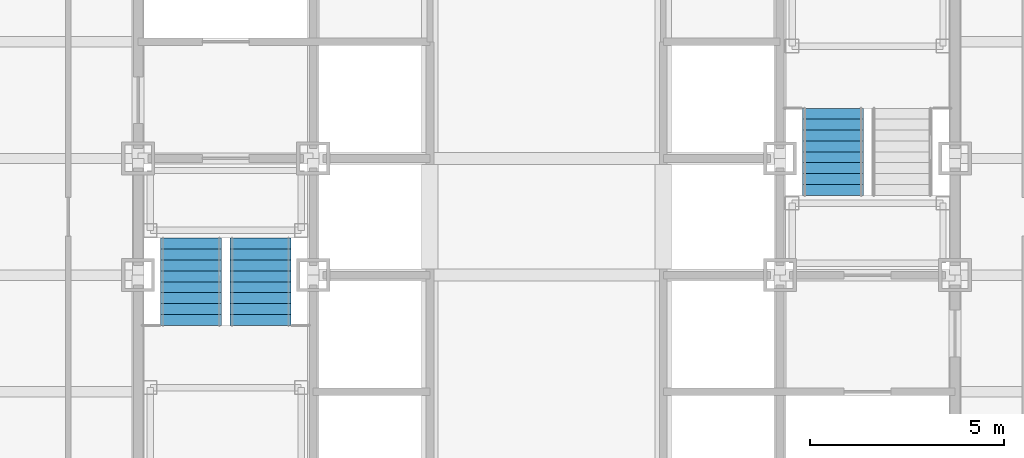
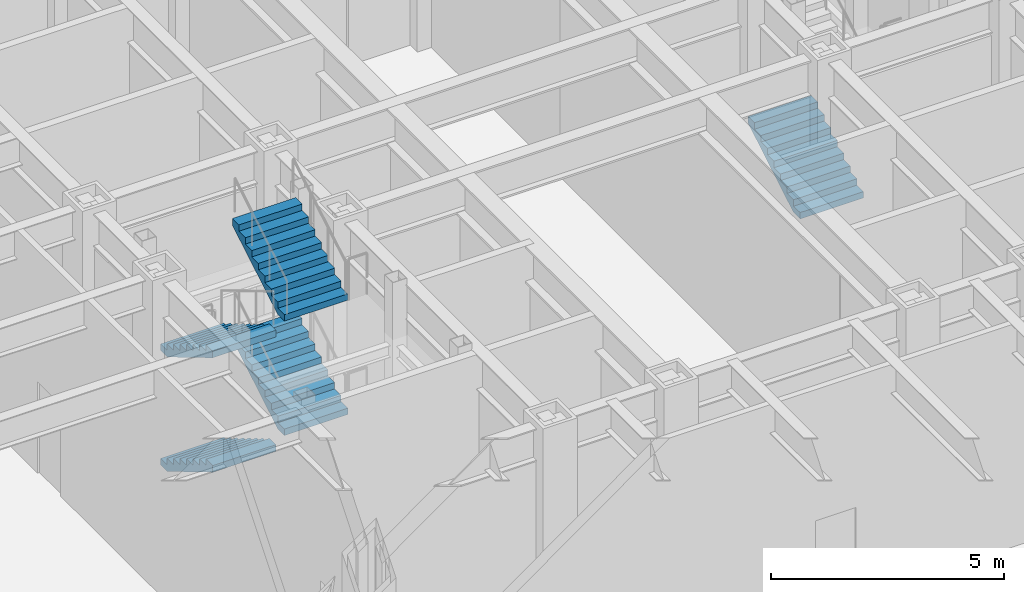
# One storey, part 21 of 31: 5 stair flights, 2 elements without a shape of their own.
"""IFC4 building model written with IfcOpenShell, lengths in metres."""

from ifc_helpers import new_model, si_unit, direction, frame, origin, place, context, subcontext, project, spatial, faceted_brep, material, type_object, element, aggregate, save


model = new_model("IFC4")

# Units and contexts
model_context = context("Model", 3, precision=1e-05, world=origin(), true_north=direction((0.0, 1.0)))
body_context = subcontext(model_context, "Body", "Model", "MODEL_VIEW")
ifc_project = project(units=[si_unit("LENGTHUNIT", "METRE"), si_unit("AREAUNIT", "SQUARE_METRE"), si_unit("VOLUMEUNIT", "CUBIC_METRE"), si_unit("PLANEANGLEUNIT", "RADIAN"), si_unit("MASSUNIT", "GRAM", prefix="KILO")], contexts=[model_context])

# Site, building, storey
site_placement = place(None, origin())
site = spatial("IfcSite", under=ifc_project, at=site_placement, CompositionType="ELEMENT")
building_placement = place(site_placement, origin())
building = spatial("IfcBuilding", under=site, at=building_placement, Name="Chuquiago Exchange Tower", CompositionType="ELEMENT")
storey_placement = place(building_placement, frame((0.0, 0.0, 96.300048828125)))
storey = spatial("IfcBuildingStorey", under=building, at=storey_placement, Name="L20", CompositionType="ELEMENT", Elevation=96.300048828125)

# Stair, stair flights
ifc_material_1 = material(Name="Concrete C30/37, precast", Category="concrete")
stair_type_1 = type_object("IfcStairType", Name="ST1 double half-turn stair 6000", PredefinedType="DOUBLE_RETURN_STAIR", material=ifc_material_1)
stair_1_placement = place(storey_placement, origin())
stair_1 = element("IfcStair", 1, at=stair_1_placement, inside=storey, type_object=stair_type_1, Name="Stair ST1 L20", PredefinedType="DOUBLE_RETURN_STAIR")
ifc_material_2 = material(Name="Concrete C30/37, precast", Category="concrete")
stair_flight_type = type_object("IfcStairFlightType", Name="ST-F flight 1570 for 6000 storey", PredefinedType="STRAIGHT", material=ifc_material_2)
stair_flight_1_placement = place(storey_placement, frame((13.360107421875, 21.949951171875, 0.0), z_axis=(0.0, 0.0, 1.0), x_axis=(0.0, -1.0, 0.0)))
stair_flight_1 = element("IfcStairFlight", 2, at=stair_flight_1_placement, type_object=stair_flight_type, Name="ST1 flight 1", NumberOfRisers=9, NumberOfTreads=8, PredefinedType="STRAIGHT", RiserHeight=0.166666667, TreadLength=0.28, context=body_context, shape_type="Brep", body=[
    faceted_brep([(0.0, 0.78515625, 0.0), (0.0, 0.78515625, 0.166748046875), (0.280029296875, 0.78515625, 0.166748046875), (0.280029296875, 0.78515625, 0.333251953125), (0.56005859375, 0.78515625, 0.333251953125), (0.56005859375, 0.78515625, 0.5), (0.840087890625, 0.78515625, 0.5), (0.840087890625, 0.78515625, 0.666748046875), (1.1201171875, 0.78515625, 0.666748046875), (1.1201171875, 0.78515625, 0.833251953125), (1.39990234375, 0.78515625, 0.833251953125), (1.39990234375, 0.78515625, 1.0), (1.679931640625, 0.78515625, 1.0), (1.679931640625, 0.78515625, 1.166748046875), (1.9599609375, 0.78515625, 1.166748046875), (1.9599609375, 0.78515625, 1.333251953125), (2.239990234375, 0.78515625, 1.333251953125), (2.239990234375, 0.78515625, 1.158935546875), (0.29296875, 0.78515625, 0.0), (0.29296875, -0.78515625, 0.0), (2.239990234375, -0.78515625, 1.158935546875), (2.239990234375, -0.78515625, 1.333251953125), (1.9599609375, -0.78515625, 1.333251953125), (1.9599609375, -0.78515625, 1.166748046875), (1.679931640625, -0.78515625, 1.166748046875), (1.679931640625, -0.78515625, 1.0), (1.39990234375, -0.78515625, 1.0), (1.39990234375, -0.78515625, 0.833251953125), (1.1201171875, -0.78515625, 0.833251953125), (1.1201171875, -0.78515625, 0.666748046875), (0.840087890625, -0.78515625, 0.666748046875), (0.840087890625, -0.78515625, 0.5), (0.56005859375, -0.78515625, 0.5), (0.56005859375, -0.78515625, 0.333251953125), (0.280029296875, -0.78515625, 0.333251953125), (0.280029296875, -0.78515625, 0.166748046875), (0.0, -0.78515625, 0.166748046875), (0.0, -0.78515625, 0.0), (0.0, 0.392578125, 0.0), (0.0, 0.392578125, 0.166748046875), (0.0, 0.0, 0.0), (0.0, 0.0, 0.166748046875), (0.0, -0.392578125, 0.0), (0.0, -0.392578125, 0.166748046875), (0.280029296875, 0.392578125, 0.166748046875), (0.280029296875, 0.0, 0.166748046875), (0.280029296875, -0.392578125, 0.166748046875), (0.280029296875, 0.392578125, 0.333251953125), (0.280029296875, 0.0, 0.333251953125), (0.280029296875, -0.392578125, 0.333251953125), (0.56005859375, 0.392578125, 0.333251953125), (0.56005859375, 0.0, 0.333251953125), (0.56005859375, -0.392578125, 0.333251953125), (0.56005859375, 0.392578125, 0.5), (0.56005859375, 0.0, 0.5), (0.56005859375, -0.392578125, 0.5), (0.840087890625, 0.392578125, 0.5), (0.840087890625, 0.0, 0.5), (0.840087890625, -0.392578125, 0.5), (0.840087890625, 0.392578125, 0.666748046875), (0.840087890625, 0.0, 0.666748046875), (0.840087890625, -0.392578125, 0.666748046875), (1.1201171875, 0.392578125, 0.666748046875), (1.1201171875, 0.0, 0.666748046875), (1.1201171875, -0.392578125, 0.666748046875), (1.1201171875, 0.392578125, 0.833251953125), (1.1201171875, 0.0, 0.833251953125), (1.1201171875, -0.392578125, 0.833251953125), (1.39990234375, 0.392578125, 0.833251953125), (1.39990234375, 0.0, 0.833251953125), (1.39990234375, -0.392578125, 0.833251953125), (1.39990234375, 0.392578125, 1.0), (1.39990234375, 0.0, 1.0), (1.39990234375, -0.392578125, 1.0), (1.679931640625, 0.392578125, 1.0), (1.679931640625, 0.0, 1.0), (1.679931640625, -0.392578125, 1.0), (1.679931640625, 0.392578125, 1.166748046875), (1.679931640625, 0.0, 1.166748046875), (1.679931640625, -0.392578125, 1.166748046875), (1.9599609375, 0.392578125, 1.166748046875), (1.9599609375, 0.0, 1.166748046875), (1.9599609375, -0.392578125, 1.166748046875), (1.9599609375, 0.392578125, 1.333251953125), (1.9599609375, 0.0, 1.333251953125), (1.9599609375, -0.392578125, 1.333251953125), (2.239990234375, 0.392578125, 1.333251953125), (2.239990234375, 0.0, 1.333251953125), (2.239990234375, -0.392578125, 1.333251953125), (2.239990234375, 0.392578125, 1.158935546875), (2.239990234375, 0.0, 1.158935546875), (2.239990234375, -0.392578125, 1.158935546875), (0.29296875, 0.392578125, 0.0), (0.29296875, 0.0, 0.0), (0.29296875, -0.392578125, 0.0)], [[[0, 1, 2, 3, 4, 5, 6, 7, 8, 9, 10, 11, 12, 13, 14, 15, 16, 17, 18]], [[19, 20, 21, 22, 23, 24, 25, 26, 27, 28, 29, 30, 31, 32, 33, 34, 35, 36, 37]], [[1, 0, 38, 39]], [[39, 38, 40, 41]], [[41, 40, 42, 43]], [[43, 42, 37, 36]], [[2, 1, 39, 44]], [[44, 39, 41, 45]], [[45, 41, 43, 46]], [[46, 43, 36, 35]], [[3, 2, 44, 47]], [[47, 44, 45, 48]], [[48, 45, 46, 49]], [[49, 46, 35, 34]], [[4, 3, 47, 50]], [[50, 47, 48, 51]], [[51, 48, 49, 52]], [[52, 49, 34, 33]], [[5, 4, 50, 53]], [[53, 50, 51, 54]], [[54, 51, 52, 55]], [[55, 52, 33, 32]], [[6, 5, 53, 56]], [[56, 53, 54, 57]], [[57, 54, 55, 58]], [[58, 55, 32, 31]], [[7, 6, 56, 59]], [[59, 56, 57, 60]], [[60, 57, 58, 61]], [[61, 58, 31, 30]], [[8, 7, 59, 62]], [[62, 59, 60, 63]], [[63, 60, 61, 64]], [[64, 61, 30, 29]], [[9, 8, 62, 65]], [[65, 62, 63, 66]], [[66, 63, 64, 67]], [[67, 64, 29, 28]], [[10, 9, 65, 68]], [[68, 65, 66, 69]], [[69, 66, 67, 70]], [[70, 67, 28, 27]], [[11, 10, 68, 71]], [[71, 68, 69, 72]], [[72, 69, 70, 73]], [[73, 70, 27, 26]], [[12, 11, 71, 74]], [[74, 71, 72, 75]], [[75, 72, 73, 76]], [[76, 73, 26, 25]], [[13, 12, 74, 77]], [[77, 74, 75, 78]], [[78, 75, 76, 79]], [[79, 76, 25, 24]], [[14, 13, 77, 80]], [[80, 77, 78, 81]], [[81, 78, 79, 82]], [[82, 79, 24, 23]], [[15, 14, 80, 83]], [[83, 80, 81, 84]], [[84, 81, 82, 85]], [[85, 82, 23, 22]], [[16, 15, 83, 86]], [[86, 83, 84, 87]], [[87, 84, 85, 88]], [[88, 85, 22, 21]], [[17, 16, 86, 89]], [[89, 86, 87, 90]], [[90, 87, 88, 91]], [[91, 88, 21, 20]], [[18, 17, 89, 92]], [[92, 89, 90, 93]], [[93, 90, 91, 94]], [[94, 91, 20, 19]], [[0, 18, 92, 38]], [[38, 92, 93, 40]], [[40, 93, 94, 42]], [[42, 94, 19, 37]]]),
])
stair_flight_2_placement = place(storey_placement, frame((15.139892578125, 19.7099609375, 1.5), z_axis=(0.0, 0.0, 1.0), x_axis=(0.0, 1.0, 0.0)))
stair_flight_2 = element("IfcStairFlight", 3, at=stair_flight_2_placement, type_object=stair_flight_type, Name="ST1 flight 2", NumberOfRisers=9, NumberOfTreads=8, PredefinedType="STRAIGHT", RiserHeight=0.166666667, TreadLength=0.28, context=body_context, shape_type="Brep", body=[
    faceted_brep([(0.0, 0.78515625, 0.0), (0.0, 0.78515625, 0.166748046875), (0.280029296875, 0.78515625, 0.166748046875), (0.280029296875, 0.78515625, 0.333251953125), (0.56005859375, 0.78515625, 0.333251953125), (0.56005859375, 0.78515625, 0.5), (0.840087890625, 0.78515625, 0.5), (0.840087890625, 0.78515625, 0.666748046875), (1.1201171875, 0.78515625, 0.666748046875), (1.1201171875, 0.78515625, 0.833251953125), (1.39990234375, 0.78515625, 0.833251953125), (1.39990234375, 0.78515625, 1.0), (1.679931640625, 0.78515625, 1.0), (1.679931640625, 0.78515625, 1.166748046875), (1.9599609375, 0.78515625, 1.166748046875), (1.9599609375, 0.78515625, 1.333251953125), (2.239990234375, 0.78515625, 1.333251953125), (2.239990234375, 0.78515625, 1.158935546875), (0.29296875, 0.78515625, 0.0), (0.29296875, -0.78515625, 0.0), (2.239990234375, -0.78515625, 1.158935546875), (2.239990234375, -0.78515625, 1.333251953125), (1.9599609375, -0.78515625, 1.333251953125), (1.9599609375, -0.78515625, 1.166748046875), (1.679931640625, -0.78515625, 1.166748046875), (1.679931640625, -0.78515625, 1.0), (1.39990234375, -0.78515625, 1.0), (1.39990234375, -0.78515625, 0.833251953125), (1.1201171875, -0.78515625, 0.833251953125), (1.1201171875, -0.78515625, 0.666748046875), (0.840087890625, -0.78515625, 0.666748046875), (0.840087890625, -0.78515625, 0.5), (0.56005859375, -0.78515625, 0.5), (0.56005859375, -0.78515625, 0.333251953125), (0.280029296875, -0.78515625, 0.333251953125), (0.280029296875, -0.78515625, 0.166748046875), (0.0, -0.78515625, 0.166748046875), (0.0, -0.78515625, 0.0), (0.0, 0.392578125, 0.0), (0.0, 0.392578125, 0.166748046875), (0.0, 0.0, 0.0), (0.0, 0.0, 0.166748046875), (0.0, -0.392578125, 0.0), (0.0, -0.392578125, 0.166748046875), (0.280029296875, 0.392578125, 0.166748046875), (0.280029296875, 0.0, 0.166748046875), (0.280029296875, -0.392578125, 0.166748046875), (0.280029296875, 0.392578125, 0.333251953125), (0.280029296875, 0.0, 0.333251953125), (0.280029296875, -0.392578125, 0.333251953125), (0.56005859375, 0.392578125, 0.333251953125), (0.56005859375, 0.0, 0.333251953125), (0.56005859375, -0.392578125, 0.333251953125), (0.56005859375, 0.392578125, 0.5), (0.56005859375, 0.0, 0.5), (0.56005859375, -0.392578125, 0.5), (0.840087890625, 0.392578125, 0.5), (0.840087890625, 0.0, 0.5), (0.840087890625, -0.392578125, 0.5), (0.840087890625, 0.392578125, 0.666748046875), (0.840087890625, 0.0, 0.666748046875), (0.840087890625, -0.392578125, 0.666748046875), (1.1201171875, 0.392578125, 0.666748046875), (1.1201171875, 0.0, 0.666748046875), (1.1201171875, -0.392578125, 0.666748046875), (1.1201171875, 0.392578125, 0.833251953125), (1.1201171875, 0.0, 0.833251953125), (1.1201171875, -0.392578125, 0.833251953125), (1.39990234375, 0.392578125, 0.833251953125), (1.39990234375, 0.0, 0.833251953125), (1.39990234375, -0.392578125, 0.833251953125), (1.39990234375, 0.392578125, 1.0), (1.39990234375, 0.0, 1.0), (1.39990234375, -0.392578125, 1.0), (1.679931640625, 0.392578125, 1.0), (1.679931640625, 0.0, 1.0), (1.679931640625, -0.392578125, 1.0), (1.679931640625, 0.392578125, 1.166748046875), (1.679931640625, 0.0, 1.166748046875), (1.679931640625, -0.392578125, 1.166748046875), (1.9599609375, 0.392578125, 1.166748046875), (1.9599609375, 0.0, 1.166748046875), (1.9599609375, -0.392578125, 1.166748046875), (1.9599609375, 0.392578125, 1.333251953125), (1.9599609375, 0.0, 1.333251953125), (1.9599609375, -0.392578125, 1.333251953125), (2.239990234375, 0.392578125, 1.333251953125), (2.239990234375, 0.0, 1.333251953125), (2.239990234375, -0.392578125, 1.333251953125), (2.239990234375, 0.392578125, 1.158935546875), (2.239990234375, 0.0, 1.158935546875), (2.239990234375, -0.392578125, 1.158935546875), (0.29296875, 0.392578125, 0.0), (0.29296875, 0.0, 0.0), (0.29296875, -0.392578125, 0.0)], [[[0, 1, 2, 3, 4, 5, 6, 7, 8, 9, 10, 11, 12, 13, 14, 15, 16, 17, 18]], [[19, 20, 21, 22, 23, 24, 25, 26, 27, 28, 29, 30, 31, 32, 33, 34, 35, 36, 37]], [[1, 0, 38, 39]], [[39, 38, 40, 41]], [[41, 40, 42, 43]], [[43, 42, 37, 36]], [[2, 1, 39, 44]], [[44, 39, 41, 45]], [[45, 41, 43, 46]], [[46, 43, 36, 35]], [[3, 2, 44, 47]], [[47, 44, 45, 48]], [[48, 45, 46, 49]], [[49, 46, 35, 34]], [[4, 3, 47, 50]], [[50, 47, 48, 51]], [[51, 48, 49, 52]], [[52, 49, 34, 33]], [[5, 4, 50, 53]], [[53, 50, 51, 54]], [[54, 51, 52, 55]], [[55, 52, 33, 32]], [[6, 5, 53, 56]], [[56, 53, 54, 57]], [[57, 54, 55, 58]], [[58, 55, 32, 31]], [[7, 6, 56, 59]], [[59, 56, 57, 60]], [[60, 57, 58, 61]], [[61, 58, 31, 30]], [[8, 7, 59, 62]], [[62, 59, 60, 63]], [[63, 60, 61, 64]], [[64, 61, 30, 29]], [[9, 8, 62, 65]], [[65, 62, 63, 66]], [[66, 63, 64, 67]], [[67, 64, 29, 28]], [[10, 9, 65, 68]], [[68, 65, 66, 69]], [[69, 66, 67, 70]], [[70, 67, 28, 27]], [[11, 10, 68, 71]], [[71, 68, 69, 72]], [[72, 69, 70, 73]], [[73, 70, 27, 26]], [[12, 11, 71, 74]], [[74, 71, 72, 75]], [[75, 72, 73, 76]], [[76, 73, 26, 25]], [[13, 12, 74, 77]], [[77, 74, 75, 78]], [[78, 75, 76, 79]], [[79, 76, 25, 24]], [[14, 13, 77, 80]], [[80, 77, 78, 81]], [[81, 78, 79, 82]], [[82, 79, 24, 23]], [[15, 14, 80, 83]], [[83, 80, 81, 84]], [[84, 81, 82, 85]], [[85, 82, 23, 22]], [[16, 15, 83, 86]], [[86, 83, 84, 87]], [[87, 84, 85, 88]], [[88, 85, 22, 21]], [[17, 16, 86, 89]], [[89, 86, 87, 90]], [[90, 87, 88, 91]], [[91, 88, 21, 20]], [[18, 17, 89, 92]], [[92, 89, 90, 93]], [[93, 90, 91, 94]], [[94, 91, 20, 19]], [[0, 18, 92, 38]], [[38, 92, 93, 40]], [[40, 93, 94, 42]], [[42, 94, 19, 37]]]),
])
stair_flight_3_placement = place(storey_placement, frame((13.360107421875, 21.949951171875, 3.0), z_axis=(0.0, 0.0, 1.0), x_axis=(0.0, -1.0, 0.0)))
stair_flight_3 = element("IfcStairFlight", 4, at=stair_flight_3_placement, type_object=stair_flight_type, Name="ST1 flight 3", NumberOfRisers=9, NumberOfTreads=8, PredefinedType="STRAIGHT", RiserHeight=0.166666667, TreadLength=0.28, context=body_context, shape_type="Brep", body=[
    faceted_brep([(0.0, 0.78515625, 0.0), (0.0, 0.78515625, 0.166748046875), (0.280029296875, 0.78515625, 0.166748046875), (0.280029296875, 0.78515625, 0.333251953125), (0.56005859375, 0.78515625, 0.333251953125), (0.56005859375, 0.78515625, 0.5), (0.840087890625, 0.78515625, 0.5), (0.840087890625, 0.78515625, 0.666748046875), (1.1201171875, 0.78515625, 0.666748046875), (1.1201171875, 0.78515625, 0.833251953125), (1.39990234375, 0.78515625, 0.833251953125), (1.39990234375, 0.78515625, 1.0), (1.679931640625, 0.78515625, 1.0), (1.679931640625, 0.78515625, 1.166748046875), (1.9599609375, 0.78515625, 1.166748046875), (1.9599609375, 0.78515625, 1.333251953125), (2.239990234375, 0.78515625, 1.333251953125), (2.239990234375, 0.78515625, 1.158935546875), (0.29296875, 0.78515625, 0.0), (0.29296875, -0.78515625, 0.0), (2.239990234375, -0.78515625, 1.158935546875), (2.239990234375, -0.78515625, 1.333251953125), (1.9599609375, -0.78515625, 1.333251953125), (1.9599609375, -0.78515625, 1.166748046875), (1.679931640625, -0.78515625, 1.166748046875), (1.679931640625, -0.78515625, 1.0), (1.39990234375, -0.78515625, 1.0), (1.39990234375, -0.78515625, 0.833251953125), (1.1201171875, -0.78515625, 0.833251953125), (1.1201171875, -0.78515625, 0.666748046875), (0.840087890625, -0.78515625, 0.666748046875), (0.840087890625, -0.78515625, 0.5), (0.56005859375, -0.78515625, 0.5), (0.56005859375, -0.78515625, 0.333251953125), (0.280029296875, -0.78515625, 0.333251953125), (0.280029296875, -0.78515625, 0.166748046875), (0.0, -0.78515625, 0.166748046875), (0.0, -0.78515625, 0.0), (0.0, 0.392578125, 0.0), (0.0, 0.392578125, 0.166748046875), (0.0, 0.0, 0.0), (0.0, 0.0, 0.166748046875), (0.0, -0.392578125, 0.0), (0.0, -0.392578125, 0.166748046875), (0.280029296875, 0.392578125, 0.166748046875), (0.280029296875, 0.0, 0.166748046875), (0.280029296875, -0.392578125, 0.166748046875), (0.280029296875, 0.392578125, 0.333251953125), (0.280029296875, 0.0, 0.333251953125), (0.280029296875, -0.392578125, 0.333251953125), (0.56005859375, 0.392578125, 0.333251953125), (0.56005859375, 0.0, 0.333251953125), (0.56005859375, -0.392578125, 0.333251953125), (0.56005859375, 0.392578125, 0.5), (0.56005859375, 0.0, 0.5), (0.56005859375, -0.392578125, 0.5), (0.840087890625, 0.392578125, 0.5), (0.840087890625, 0.0, 0.5), (0.840087890625, -0.392578125, 0.5), (0.840087890625, 0.392578125, 0.666748046875), (0.840087890625, 0.0, 0.666748046875), (0.840087890625, -0.392578125, 0.666748046875), (1.1201171875, 0.392578125, 0.666748046875), (1.1201171875, 0.0, 0.666748046875), (1.1201171875, -0.392578125, 0.666748046875), (1.1201171875, 0.392578125, 0.833251953125), (1.1201171875, 0.0, 0.833251953125), (1.1201171875, -0.392578125, 0.833251953125), (1.39990234375, 0.392578125, 0.833251953125), (1.39990234375, 0.0, 0.833251953125), (1.39990234375, -0.392578125, 0.833251953125), (1.39990234375, 0.392578125, 1.0), (1.39990234375, 0.0, 1.0), (1.39990234375, -0.392578125, 1.0), (1.679931640625, 0.392578125, 1.0), (1.679931640625, 0.0, 1.0), (1.679931640625, -0.392578125, 1.0), (1.679931640625, 0.392578125, 1.166748046875), (1.679931640625, 0.0, 1.166748046875), (1.679931640625, -0.392578125, 1.166748046875), (1.9599609375, 0.392578125, 1.166748046875), (1.9599609375, 0.0, 1.166748046875), (1.9599609375, -0.392578125, 1.166748046875), (1.9599609375, 0.392578125, 1.333251953125), (1.9599609375, 0.0, 1.333251953125), (1.9599609375, -0.392578125, 1.333251953125), (2.239990234375, 0.392578125, 1.333251953125), (2.239990234375, 0.0, 1.333251953125), (2.239990234375, -0.392578125, 1.333251953125), (2.239990234375, 0.392578125, 1.158935546875), (2.239990234375, 0.0, 1.158935546875), (2.239990234375, -0.392578125, 1.158935546875), (0.29296875, 0.392578125, 0.0), (0.29296875, 0.0, 0.0), (0.29296875, -0.392578125, 0.0)], [[[0, 1, 2, 3, 4, 5, 6, 7, 8, 9, 10, 11, 12, 13, 14, 15, 16, 17, 18]], [[19, 20, 21, 22, 23, 24, 25, 26, 27, 28, 29, 30, 31, 32, 33, 34, 35, 36, 37]], [[1, 0, 38, 39]], [[39, 38, 40, 41]], [[41, 40, 42, 43]], [[43, 42, 37, 36]], [[2, 1, 39, 44]], [[44, 39, 41, 45]], [[45, 41, 43, 46]], [[46, 43, 36, 35]], [[3, 2, 44, 47]], [[47, 44, 45, 48]], [[48, 45, 46, 49]], [[49, 46, 35, 34]], [[4, 3, 47, 50]], [[50, 47, 48, 51]], [[51, 48, 49, 52]], [[52, 49, 34, 33]], [[5, 4, 50, 53]], [[53, 50, 51, 54]], [[54, 51, 52, 55]], [[55, 52, 33, 32]], [[6, 5, 53, 56]], [[56, 53, 54, 57]], [[57, 54, 55, 58]], [[58, 55, 32, 31]], [[7, 6, 56, 59]], [[59, 56, 57, 60]], [[60, 57, 58, 61]], [[61, 58, 31, 30]], [[8, 7, 59, 62]], [[62, 59, 60, 63]], [[63, 60, 61, 64]], [[64, 61, 30, 29]], [[9, 8, 62, 65]], [[65, 62, 63, 66]], [[66, 63, 64, 67]], [[67, 64, 29, 28]], [[10, 9, 65, 68]], [[68, 65, 66, 69]], [[69, 66, 67, 70]], [[70, 67, 28, 27]], [[11, 10, 68, 71]], [[71, 68, 69, 72]], [[72, 69, 70, 73]], [[73, 70, 27, 26]], [[12, 11, 71, 74]], [[74, 71, 72, 75]], [[75, 72, 73, 76]], [[76, 73, 26, 25]], [[13, 12, 74, 77]], [[77, 74, 75, 78]], [[78, 75, 76, 79]], [[79, 76, 25, 24]], [[14, 13, 77, 80]], [[80, 77, 78, 81]], [[81, 78, 79, 82]], [[82, 79, 24, 23]], [[15, 14, 80, 83]], [[83, 80, 81, 84]], [[84, 81, 82, 85]], [[85, 82, 23, 22]], [[16, 15, 83, 86]], [[86, 83, 84, 87]], [[87, 84, 85, 88]], [[88, 85, 22, 21]], [[17, 16, 86, 89]], [[89, 86, 87, 90]], [[90, 87, 88, 91]], [[91, 88, 21, 20]], [[18, 17, 89, 92]], [[92, 89, 90, 93]], [[93, 90, 91, 94]], [[94, 91, 20, 19]], [[0, 18, 92, 38]], [[38, 92, 93, 40]], [[40, 93, 94, 42]], [[42, 94, 19, 37]]]),
])
stair_flight_4_placement = place(storey_placement, frame((15.139892578125, 19.7099609375, 4.5), z_axis=(0.0, 0.0, 1.0), x_axis=(0.0, 1.0, 0.0)))
stair_flight_4 = element("IfcStairFlight", 5, at=stair_flight_4_placement, type_object=stair_flight_type, Name="ST1 flight 4", NumberOfRisers=9, NumberOfTreads=8, PredefinedType="STRAIGHT", RiserHeight=0.166666667, TreadLength=0.28, context=body_context, shape_type="Brep", body=[
    faceted_brep([(0.0, 0.78515625, 0.0), (0.0, 0.78515625, 0.166748046875), (0.280029296875, 0.78515625, 0.166748046875), (0.280029296875, 0.78515625, 0.333251953125), (0.56005859375, 0.78515625, 0.333251953125), (0.56005859375, 0.78515625, 0.5), (0.840087890625, 0.78515625, 0.5), (0.840087890625, 0.78515625, 0.666748046875), (1.1201171875, 0.78515625, 0.666748046875), (1.1201171875, 0.78515625, 0.833251953125), (1.39990234375, 0.78515625, 0.833251953125), (1.39990234375, 0.78515625, 1.0), (1.679931640625, 0.78515625, 1.0), (1.679931640625, 0.78515625, 1.166748046875), (1.9599609375, 0.78515625, 1.166748046875), (1.9599609375, 0.78515625, 1.333251953125), (2.239990234375, 0.78515625, 1.333251953125), (2.239990234375, 0.78515625, 1.158935546875), (0.29296875, 0.78515625, 0.0), (0.29296875, -0.78515625, 0.0), (2.239990234375, -0.78515625, 1.158935546875), (2.239990234375, -0.78515625, 1.333251953125), (1.9599609375, -0.78515625, 1.333251953125), (1.9599609375, -0.78515625, 1.166748046875), (1.679931640625, -0.78515625, 1.166748046875), (1.679931640625, -0.78515625, 1.0), (1.39990234375, -0.78515625, 1.0), (1.39990234375, -0.78515625, 0.833251953125), (1.1201171875, -0.78515625, 0.833251953125), (1.1201171875, -0.78515625, 0.666748046875), (0.840087890625, -0.78515625, 0.666748046875), (0.840087890625, -0.78515625, 0.5), (0.56005859375, -0.78515625, 0.5), (0.56005859375, -0.78515625, 0.333251953125), (0.280029296875, -0.78515625, 0.333251953125), (0.280029296875, -0.78515625, 0.166748046875), (0.0, -0.78515625, 0.166748046875), (0.0, -0.78515625, 0.0), (0.0, 0.392578125, 0.0), (0.0, 0.392578125, 0.166748046875), (0.0, 0.0, 0.0), (0.0, 0.0, 0.166748046875), (0.0, -0.392578125, 0.0), (0.0, -0.392578125, 0.166748046875), (0.280029296875, 0.392578125, 0.166748046875), (0.280029296875, 0.0, 0.166748046875), (0.280029296875, -0.392578125, 0.166748046875), (0.280029296875, 0.392578125, 0.333251953125), (0.280029296875, 0.0, 0.333251953125), (0.280029296875, -0.392578125, 0.333251953125), (0.56005859375, 0.392578125, 0.333251953125), (0.56005859375, 0.0, 0.333251953125), (0.56005859375, -0.392578125, 0.333251953125), (0.56005859375, 0.392578125, 0.5), (0.56005859375, 0.0, 0.5), (0.56005859375, -0.392578125, 0.5), (0.840087890625, 0.392578125, 0.5), (0.840087890625, 0.0, 0.5), (0.840087890625, -0.392578125, 0.5), (0.840087890625, 0.392578125, 0.666748046875), (0.840087890625, 0.0, 0.666748046875), (0.840087890625, -0.392578125, 0.666748046875), (1.1201171875, 0.392578125, 0.666748046875), (1.1201171875, 0.0, 0.666748046875), (1.1201171875, -0.392578125, 0.666748046875), (1.1201171875, 0.392578125, 0.833251953125), (1.1201171875, 0.0, 0.833251953125), (1.1201171875, -0.392578125, 0.833251953125), (1.39990234375, 0.392578125, 0.833251953125), (1.39990234375, 0.0, 0.833251953125), (1.39990234375, -0.392578125, 0.833251953125), (1.39990234375, 0.392578125, 1.0), (1.39990234375, 0.0, 1.0), (1.39990234375, -0.392578125, 1.0), (1.679931640625, 0.392578125, 1.0), (1.679931640625, 0.0, 1.0), (1.679931640625, -0.392578125, 1.0), (1.679931640625, 0.392578125, 1.166748046875), (1.679931640625, 0.0, 1.166748046875), (1.679931640625, -0.392578125, 1.166748046875), (1.9599609375, 0.392578125, 1.166748046875), (1.9599609375, 0.0, 1.166748046875), (1.9599609375, -0.392578125, 1.166748046875), (1.9599609375, 0.392578125, 1.333251953125), (1.9599609375, 0.0, 1.333251953125), (1.9599609375, -0.392578125, 1.333251953125), (2.239990234375, 0.392578125, 1.333251953125), (2.239990234375, 0.0, 1.333251953125), (2.239990234375, -0.392578125, 1.333251953125), (2.239990234375, 0.392578125, 1.158935546875), (2.239990234375, 0.0, 1.158935546875), (2.239990234375, -0.392578125, 1.158935546875), (0.29296875, 0.392578125, 0.0), (0.29296875, 0.0, 0.0), (0.29296875, -0.392578125, 0.0)], [[[0, 1, 2, 3, 4, 5, 6, 7, 8, 9, 10, 11, 12, 13, 14, 15, 16, 17, 18]], [[19, 20, 21, 22, 23, 24, 25, 26, 27, 28, 29, 30, 31, 32, 33, 34, 35, 36, 37]], [[1, 0, 38, 39]], [[39, 38, 40, 41]], [[41, 40, 42, 43]], [[43, 42, 37, 36]], [[2, 1, 39, 44]], [[44, 39, 41, 45]], [[45, 41, 43, 46]], [[46, 43, 36, 35]], [[3, 2, 44, 47]], [[47, 44, 45, 48]], [[48, 45, 46, 49]], [[49, 46, 35, 34]], [[4, 3, 47, 50]], [[50, 47, 48, 51]], [[51, 48, 49, 52]], [[52, 49, 34, 33]], [[5, 4, 50, 53]], [[53, 50, 51, 54]], [[54, 51, 52, 55]], [[55, 52, 33, 32]], [[6, 5, 53, 56]], [[56, 53, 54, 57]], [[57, 54, 55, 58]], [[58, 55, 32, 31]], [[7, 6, 56, 59]], [[59, 56, 57, 60]], [[60, 57, 58, 61]], [[61, 58, 31, 30]], [[8, 7, 59, 62]], [[62, 59, 60, 63]], [[63, 60, 61, 64]], [[64, 61, 30, 29]], [[9, 8, 62, 65]], [[65, 62, 63, 66]], [[66, 63, 64, 67]], [[67, 64, 29, 28]], [[10, 9, 65, 68]], [[68, 65, 66, 69]], [[69, 66, 67, 70]], [[70, 67, 28, 27]], [[11, 10, 68, 71]], [[71, 68, 69, 72]], [[72, 69, 70, 73]], [[73, 70, 27, 26]], [[12, 11, 71, 74]], [[74, 71, 72, 75]], [[75, 72, 73, 76]], [[76, 73, 26, 25]], [[13, 12, 74, 77]], [[77, 74, 75, 78]], [[78, 75, 76, 79]], [[79, 76, 25, 24]], [[14, 13, 77, 80]], [[80, 77, 78, 81]], [[81, 78, 79, 82]], [[82, 79, 24, 23]], [[15, 14, 80, 83]], [[83, 80, 81, 84]], [[84, 81, 82, 85]], [[85, 82, 23, 22]], [[16, 15, 83, 86]], [[86, 83, 84, 87]], [[87, 84, 85, 88]], [[88, 85, 22, 21]], [[17, 16, 86, 89]], [[89, 86, 87, 90]], [[90, 87, 88, 91]], [[91, 88, 21, 20]], [[18, 17, 89, 92]], [[92, 89, 90, 93]], [[93, 90, 91, 94]], [[94, 91, 20, 19]], [[0, 18, 92, 38]], [[38, 92, 93, 40]], [[40, 93, 94, 42]], [[42, 94, 19, 37]]]),
])
aggregate(stair_1, [stair_flight_1, stair_flight_2, stair_flight_3, stair_flight_4])

# Stair, stair flight
ifc_material_3 = material(Name="Concrete C30/37, precast", Category="concrete")
stair_type_2 = type_object("IfcStairType", Name="ST2 double half-turn stair 6000", PredefinedType="DOUBLE_RETURN_STAIR", material=ifc_material_3)
stair_2_placement = place(storey_placement, origin())
stair_2 = element("IfcStair", 6, at=stair_2_placement, inside=storey, type_object=stair_type_2, Name="Stair ST2 L20", PredefinedType="DOUBLE_RETURN_STAIR")
stair_flight_5_placement = place(storey_placement, frame((29.860107421875, 23.050048828125, 0.0), z_axis=(0.0, 0.0, 1.0), x_axis=(0.0, 1.0, 0.0)))
stair_flight_5 = element("IfcStairFlight", 7, at=stair_flight_5_placement, type_object=stair_flight_type, Name="ST2 flight 1", NumberOfRisers=9, NumberOfTreads=8, PredefinedType="STRAIGHT", RiserHeight=0.166666667, TreadLength=0.28, context=body_context, shape_type="Brep", body=[
    faceted_brep([(0.0, 0.78515625, 0.0), (0.0, 0.78515625, 0.166748046875), (0.280029296875, 0.78515625, 0.166748046875), (0.280029296875, 0.78515625, 0.333251953125), (0.56005859375, 0.78515625, 0.333251953125), (0.56005859375, 0.78515625, 0.5), (0.840087890625, 0.78515625, 0.5), (0.840087890625, 0.78515625, 0.666748046875), (1.1201171875, 0.78515625, 0.666748046875), (1.1201171875, 0.78515625, 0.833251953125), (1.39990234375, 0.78515625, 0.833251953125), (1.39990234375, 0.78515625, 1.0), (1.679931640625, 0.78515625, 1.0), (1.679931640625, 0.78515625, 1.166748046875), (1.9599609375, 0.78515625, 1.166748046875), (1.9599609375, 0.78515625, 1.333251953125), (2.239990234375, 0.78515625, 1.333251953125), (2.239990234375, 0.78515625, 1.158935546875), (0.29296875, 0.78515625, 0.0), (0.29296875, -0.78515625, 0.0), (2.239990234375, -0.78515625, 1.158935546875), (2.239990234375, -0.78515625, 1.333251953125), (1.9599609375, -0.78515625, 1.333251953125), (1.9599609375, -0.78515625, 1.166748046875), (1.679931640625, -0.78515625, 1.166748046875), (1.679931640625, -0.78515625, 1.0), (1.39990234375, -0.78515625, 1.0), (1.39990234375, -0.78515625, 0.833251953125), (1.1201171875, -0.78515625, 0.833251953125), (1.1201171875, -0.78515625, 0.666748046875), (0.840087890625, -0.78515625, 0.666748046875), (0.840087890625, -0.78515625, 0.5), (0.56005859375, -0.78515625, 0.5), (0.56005859375, -0.78515625, 0.333251953125), (0.280029296875, -0.78515625, 0.333251953125), (0.280029296875, -0.78515625, 0.166748046875), (0.0, -0.78515625, 0.166748046875), (0.0, -0.78515625, 0.0), (0.0, 0.392578125, 0.0), (0.0, 0.392578125, 0.166748046875), (0.0, 0.0, 0.0), (0.0, 0.0, 0.166748046875), (0.0, -0.392578125, 0.0), (0.0, -0.392578125, 0.166748046875), (0.280029296875, 0.392578125, 0.166748046875), (0.280029296875, 0.0, 0.166748046875), (0.280029296875, -0.392578125, 0.166748046875), (0.280029296875, 0.392578125, 0.333251953125), (0.280029296875, 0.0, 0.333251953125), (0.280029296875, -0.392578125, 0.333251953125), (0.56005859375, 0.392578125, 0.333251953125), (0.56005859375, 0.0, 0.333251953125), (0.56005859375, -0.392578125, 0.333251953125), (0.56005859375, 0.392578125, 0.5), (0.56005859375, 0.0, 0.5), (0.56005859375, -0.392578125, 0.5), (0.840087890625, 0.392578125, 0.5), (0.840087890625, 0.0, 0.5), (0.840087890625, -0.392578125, 0.5), (0.840087890625, 0.392578125, 0.666748046875), (0.840087890625, 0.0, 0.666748046875), (0.840087890625, -0.392578125, 0.666748046875), (1.1201171875, 0.392578125, 0.666748046875), (1.1201171875, 0.0, 0.666748046875), (1.1201171875, -0.392578125, 0.666748046875), (1.1201171875, 0.392578125, 0.833251953125), (1.1201171875, 0.0, 0.833251953125), (1.1201171875, -0.392578125, 0.833251953125), (1.39990234375, 0.392578125, 0.833251953125), (1.39990234375, 0.0, 0.833251953125), (1.39990234375, -0.392578125, 0.833251953125), (1.39990234375, 0.392578125, 1.0), (1.39990234375, 0.0, 1.0), (1.39990234375, -0.392578125, 1.0), (1.679931640625, 0.392578125, 1.0), (1.679931640625, 0.0, 1.0), (1.679931640625, -0.392578125, 1.0), (1.679931640625, 0.392578125, 1.166748046875), (1.679931640625, 0.0, 1.166748046875), (1.679931640625, -0.392578125, 1.166748046875), (1.9599609375, 0.392578125, 1.166748046875), (1.9599609375, 0.0, 1.166748046875), (1.9599609375, -0.392578125, 1.166748046875), (1.9599609375, 0.392578125, 1.333251953125), (1.9599609375, 0.0, 1.333251953125), (1.9599609375, -0.392578125, 1.333251953125), (2.239990234375, 0.392578125, 1.333251953125), (2.239990234375, 0.0, 1.333251953125), (2.239990234375, -0.392578125, 1.333251953125), (2.239990234375, 0.392578125, 1.158935546875), (2.239990234375, 0.0, 1.158935546875), (2.239990234375, -0.392578125, 1.158935546875), (0.29296875, 0.392578125, 0.0), (0.29296875, 0.0, 0.0), (0.29296875, -0.392578125, 0.0)], [[[0, 1, 2, 3, 4, 5, 6, 7, 8, 9, 10, 11, 12, 13, 14, 15, 16, 17, 18]], [[19, 20, 21, 22, 23, 24, 25, 26, 27, 28, 29, 30, 31, 32, 33, 34, 35, 36, 37]], [[1, 0, 38, 39]], [[39, 38, 40, 41]], [[41, 40, 42, 43]], [[43, 42, 37, 36]], [[2, 1, 39, 44]], [[44, 39, 41, 45]], [[45, 41, 43, 46]], [[46, 43, 36, 35]], [[3, 2, 44, 47]], [[47, 44, 45, 48]], [[48, 45, 46, 49]], [[49, 46, 35, 34]], [[4, 3, 47, 50]], [[50, 47, 48, 51]], [[51, 48, 49, 52]], [[52, 49, 34, 33]], [[5, 4, 50, 53]], [[53, 50, 51, 54]], [[54, 51, 52, 55]], [[55, 52, 33, 32]], [[6, 5, 53, 56]], [[56, 53, 54, 57]], [[57, 54, 55, 58]], [[58, 55, 32, 31]], [[7, 6, 56, 59]], [[59, 56, 57, 60]], [[60, 57, 58, 61]], [[61, 58, 31, 30]], [[8, 7, 59, 62]], [[62, 59, 60, 63]], [[63, 60, 61, 64]], [[64, 61, 30, 29]], [[9, 8, 62, 65]], [[65, 62, 63, 66]], [[66, 63, 64, 67]], [[67, 64, 29, 28]], [[10, 9, 65, 68]], [[68, 65, 66, 69]], [[69, 66, 67, 70]], [[70, 67, 28, 27]], [[11, 10, 68, 71]], [[71, 68, 69, 72]], [[72, 69, 70, 73]], [[73, 70, 27, 26]], [[12, 11, 71, 74]], [[74, 71, 72, 75]], [[75, 72, 73, 76]], [[76, 73, 26, 25]], [[13, 12, 74, 77]], [[77, 74, 75, 78]], [[78, 75, 76, 79]], [[79, 76, 25, 24]], [[14, 13, 77, 80]], [[80, 77, 78, 81]], [[81, 78, 79, 82]], [[82, 79, 24, 23]], [[15, 14, 80, 83]], [[83, 80, 81, 84]], [[84, 81, 82, 85]], [[85, 82, 23, 22]], [[16, 15, 83, 86]], [[86, 83, 84, 87]], [[87, 84, 85, 88]], [[88, 85, 22, 21]], [[17, 16, 86, 89]], [[89, 86, 87, 90]], [[90, 87, 88, 91]], [[91, 88, 21, 20]], [[18, 17, 89, 92]], [[92, 89, 90, 93]], [[93, 90, 91, 94]], [[94, 91, 20, 19]], [[0, 18, 92, 38]], [[38, 92, 93, 40]], [[40, 93, 94, 42]], [[42, 94, 19, 37]]]),
])
aggregate(stair_2, [stair_flight_5])

save(model, "model.ifc")
